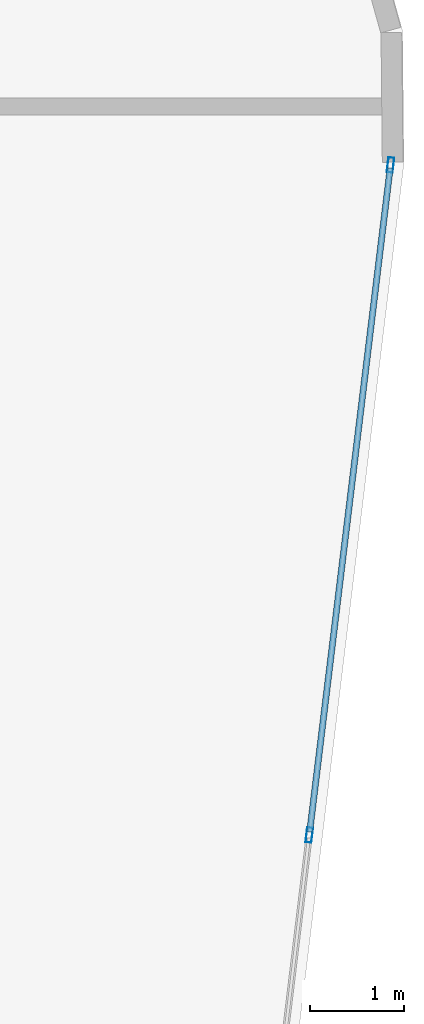
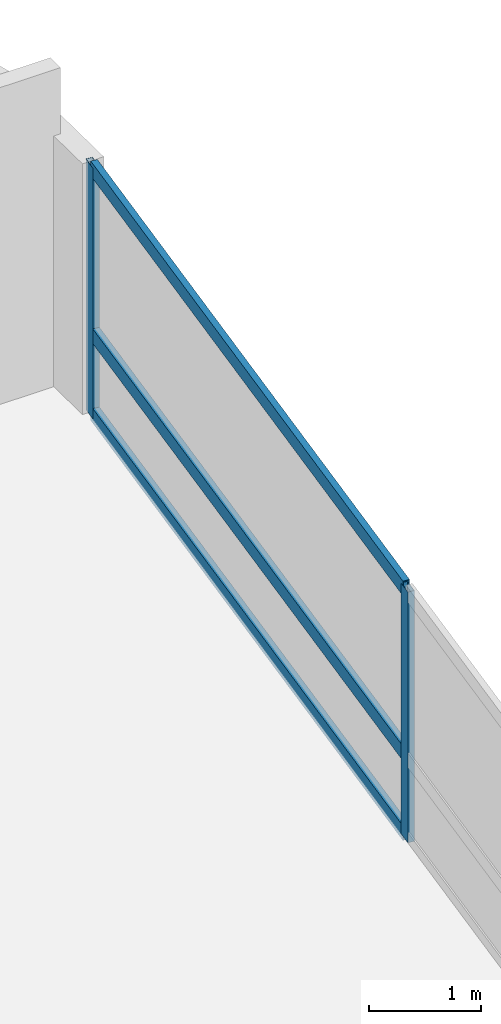
# One storey, part 18 of 26: 5 members, 1 element without a shape of its own.
"""IFC4 building model written with IfcOpenShell, lengths in metres."""

from ifc_helpers import new_model, si_unit, direction, frame, origin, origin_2d, place, context, subcontext, project, spatial, hollow_rectangle, extrude, material, layer, layer_set, material_profile, profile_set, type_object, element, aggregate, save


model = new_model("IFC4")

# Units and contexts
model_context = context("Model", 3, precision=1e-05, world=origin(), true_north=direction((0.0, 1.0)))
body_context = subcontext(model_context, "Body", "Model", "MODEL_VIEW")
ifc_project = project(units=[si_unit("LENGTHUNIT", "METRE"), si_unit("AREAUNIT", "SQUARE_METRE"), si_unit("VOLUMEUNIT", "CUBIC_METRE"), si_unit("PLANEANGLEUNIT", "RADIAN"), si_unit("MASSUNIT", "GRAM", prefix="KILO")], contexts=[model_context])

# Site, building, storey
site_placement = place(None, origin())
site = spatial("IfcSite", under=ifc_project, at=site_placement, CompositionType="ELEMENT")
building_placement = place(site_placement, origin())
building = spatial("IfcBuilding", under=site, at=building_placement, Name="Varnelok Gate Tower", CompositionType="ELEMENT")
storey_placement = place(building_placement, frame((0.0, 0.0, 143.89990234375)))
storey = spatial("IfcBuildingStorey", under=building, at=storey_placement, Name="L36", CompositionType="ELEMENT", Elevation=143.89990234375)

# Curtain wall, members
ifc_material = material(Name="Anodized Aluminum Alloy 6063-T6", Category="aluminium")
ifc_layer = layer(ifc_material, 0.179931640625)
ifc_layer_set = layer_set([ifc_layer], Name="Anodized Aluminum Alloy 6063-T6")
curtain_wall_type = type_object("IfcCurtainWallType", Name="CW3-HOTEL-VISION", PredefinedType="USERDEFINED", material=ifc_layer_set)
curtain_wall_placement = place(storey_placement, origin())
curtain_wall = element("IfcCurtainWall", 1, at=curtain_wall_placement, inside=storey, type_object=curtain_wall_type, Name="L36 East End Vision Curtain Wall", ObjectType="UNITISED CURTAIN WALL", PredefinedType="USERDEFINED")
ifc_material_profile_1 = material_profile(ifc_material, hollow_rectangle(XDim=0.06494140625, YDim=0.159912109375, WallThickness=0.00390625, at=origin_2d()), Name="ALU160X65X4")
ifc_profile_set_1 = profile_set([ifc_material_profile_1], Name="Anodized Aluminum Alloy 6063-T6")
member_type_1 = type_object("IfcMemberType", Name="CW-MULL-160", PredefinedType="MULLION", material=ifc_profile_set_1)
member_1_placement = place(storey_placement, frame((78.153076171875, 38.677001953125, 0.0), z_axis=(0.0, 0.0, 1.0), x_axis=(0.99273188146, -0.120347046212, 0.0)))
member_1 = element("IfcMember", 2, at=member_1_placement, type_object=member_type_1, Name="CW3 mullion 1", PredefinedType="MULLION", context=body_context, shape_type="SweptSolid", body=[
    extrude(hollow_rectangle(XDim=0.06494140625, YDim=0.159912109375, WallThickness=0.00390625, at=origin_2d()), origin(), (0.0, 0.0, 1.0), 2.72998046875),
])
member_2_placement = place(storey_placement, frame((77.290283203125, 31.5615234375, 0.0), z_axis=(0.0, 0.0, 1.0), x_axis=(0.99273188146, -0.120347046212, 0.0)))
member_2 = element("IfcMember", 3, at=member_2_placement, type_object=member_type_1, Name="CW3 mullion 2", PredefinedType="MULLION", context=body_context, shape_type="SweptSolid", body=[
    extrude(hollow_rectangle(XDim=0.06494140625, YDim=0.159912109375, WallThickness=0.00390625, at=origin_2d()), origin(), (0.0, 0.0, 1.0), 2.72998046875),
])
ifc_material_profile_2 = material_profile(ifc_material, hollow_rectangle(XDim=0.06494140625, YDim=0.159912109375, WallThickness=0.00390625, at=origin_2d()), Name="ALU160X65X4")
ifc_profile_set_2 = profile_set([ifc_material_profile_2], Name="Anodized Aluminum Alloy 6063-T6")
member_type_2 = type_object("IfcMemberType", Name="CW-TRAN-160", PredefinedType="USERDEFINED", material=ifc_profile_set_2)
member_3_placement = place(storey_placement, frame((78.149169921875, 38.644775390625, 0.03271484375), z_axis=(-0.120374481497, -0.992728555147, 0.0), x_axis=(0.992728555147, -0.120374481497, 0.0)))
member_3 = element("IfcMember", 4, at=member_3_placement, type_object=member_type_2, Name="CW3 transom 1.1", ObjectType="TRANSOM", PredefinedType="USERDEFINED", context=body_context, shape_type="SweptSolid", body=[
    extrude(hollow_rectangle(XDim=0.06494140625, YDim=0.159912109375, WallThickness=0.00390625, at=origin_2d()), origin(), (0.0, 0.0, 1.0), 7.102783203125),
])
member_4_placement = place(storey_placement, frame((78.149169921875, 38.644775390625, 0.900146484375), z_axis=(-0.120374481497, -0.992728555147, 0.0), x_axis=(0.992728555147, -0.120374481497, 0.0)))
member_4 = element("IfcMember", 5, at=member_4_placement, type_object=member_type_2, Name="CW3 transom 1.2", ObjectType="TRANSOM", PredefinedType="USERDEFINED", context=body_context, shape_type="SweptSolid", body=[
    extrude(hollow_rectangle(XDim=0.06494140625, YDim=0.159912109375, WallThickness=0.00390625, at=origin_2d()), origin(), (0.0, 0.0, 1.0), 7.102783203125),
])
member_5_placement = place(storey_placement, frame((78.149169921875, 38.644775390625, 2.697509765625), z_axis=(-0.120374481497, -0.992728555147, 0.0), x_axis=(0.992728555147, -0.120374481497, 0.0)))
member_5 = element("IfcMember", 6, at=member_5_placement, type_object=member_type_2, Name="CW3 transom 1.3", ObjectType="TRANSOM", PredefinedType="USERDEFINED", context=body_context, shape_type="SweptSolid", body=[
    extrude(hollow_rectangle(XDim=0.06494140625, YDim=0.159912109375, WallThickness=0.00390625, at=origin_2d()), origin(), (0.0, 0.0, 1.0), 7.102783203125),
])
aggregate(curtain_wall, [member_1, member_2, member_3, member_4, member_5])

save(model, "model.ifc")
